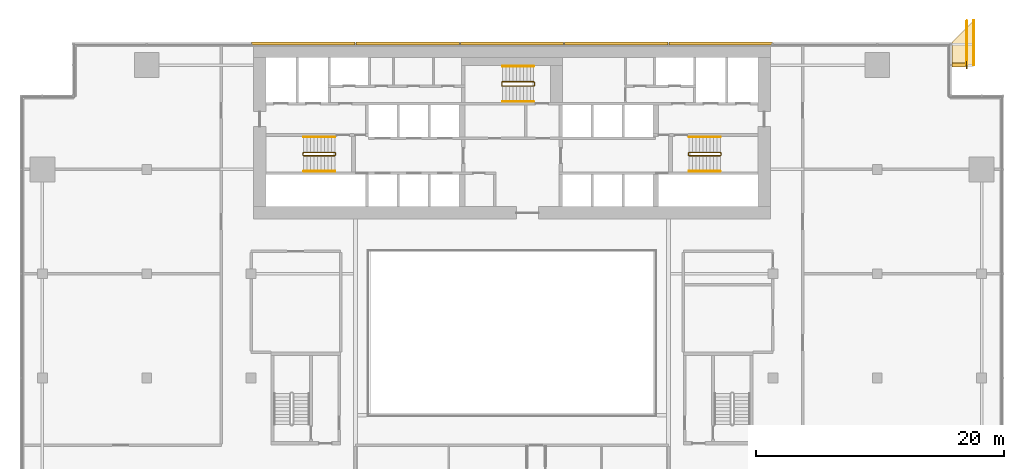
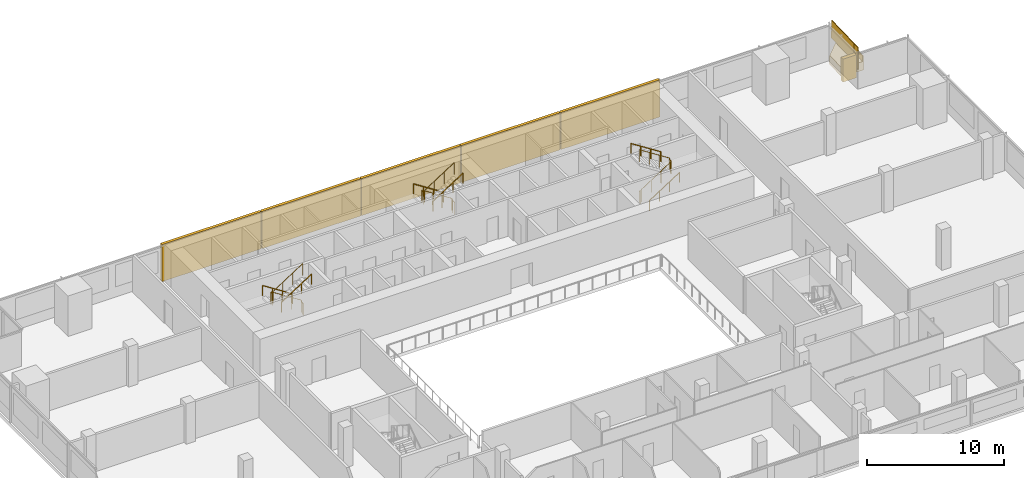
# One storey, part 26 of 26: 11 railings, 8 coverings.
"""IFC4 building model written with IfcOpenShell, lengths in metres."""

from ifc_helpers import new_model, si_unit, direction, frame, origin, origin_2d, place, context, subcontext, project, spatial, polyline, rectangle, circle, outline, extrude, material, layer, layer_set, type_object, element, save


model = new_model("IFC4")

# Units and contexts
model_context = context("Model", 3, precision=1e-05, world=origin(), true_north=direction((0.0, 1.0)))
body_context = subcontext(model_context, "Body", "Model", "MODEL_VIEW")
ifc_project = project(units=[si_unit("LENGTHUNIT", "METRE"), si_unit("AREAUNIT", "SQUARE_METRE"), si_unit("VOLUMEUNIT", "CUBIC_METRE"), si_unit("PLANEANGLEUNIT", "RADIAN"), si_unit("MASSUNIT", "GRAM", prefix="KILO")], contexts=[model_context])

# Site, building, storey
site_placement = place(None, origin())
site = spatial("IfcSite", under=ifc_project, at=site_placement, CompositionType="ELEMENT")
building_placement = place(site_placement, origin())
building = spatial("IfcBuilding", under=site, at=building_placement, Name="Saffron Gate Tower", CompositionType="ELEMENT")
storey_placement = place(building_placement, frame((0.0, 0.0, 138.449951171875)))
storey = spatial("IfcBuildingStorey", under=building, at=storey_placement, Name="L33", CompositionType="ELEMENT", Elevation=138.449951171875)

# Coverings
ifc_material_1 = material(Name="Ceramic-printed bronze insulated panel")
ifc_layer_1 = layer(ifc_material_1, 0.239990234375)
ifc_layer_set_1 = layer_set([ifc_layer_1], Name="CLD2 ceramic-printed cladding panel 240")
covering_type_1 = type_object("IfcCoveringType", Name="CLD2 ceramic-printed cladding panel 240", PredefinedType="CLADDING", material=ifc_layer_set_1)
covering_1_placement = place(storey_placement, origin())
element("IfcCovering", 1, at=covering_1_placement, inside=storey, type_object=covering_type_1, Name="CLADDING ceramic-printed panel", PredefinedType="CLADDING", context=body_context, shape_type="SweptSolid", body=[
    extrude(outline(polyline([(108.56494140625, 75.639892578125), (100.235107421875, 75.639892578125), (100.235107421875, 75.39990234375), (108.56494140625, 75.39990234375), (108.56494140625, 75.639892578125)])), origin(), (0.0, 0.0, 1.0), 3.300048828125),
])
covering_2_placement = place(storey_placement, origin())
element("IfcCovering", 2, at=covering_2_placement, inside=storey, type_object=covering_type_1, Name="CLADDING ceramic-printed panel", PredefinedType="CLADDING", context=body_context, shape_type="SweptSolid", body=[
    extrude(outline(polyline([(100.1650390625, 75.639892578125), (91.8349609375, 75.639892578125), (91.8349609375, 75.39990234375), (100.1650390625, 75.39990234375), (100.1650390625, 75.639892578125)])), origin(), (0.0, 0.0, 1.0), 3.300048828125),
])
covering_3_placement = place(storey_placement, origin())
element("IfcCovering", 3, at=covering_3_placement, inside=storey, type_object=covering_type_1, Name="CLADDING ceramic-printed panel", PredefinedType="CLADDING", context=body_context, shape_type="SweptSolid", body=[
    extrude(outline(polyline([(91.764892578125, 75.639892578125), (83.43505859375, 75.639892578125), (83.43505859375, 75.39990234375), (91.764892578125, 75.39990234375), (91.764892578125, 75.639892578125)])), origin(), (0.0, 0.0, 1.0), 3.300048828125),
])
covering_4_placement = place(storey_placement, origin())
element("IfcCovering", 4, at=covering_4_placement, inside=storey, type_object=covering_type_1, Name="CLADDING ceramic-printed panel", PredefinedType="CLADDING", context=body_context, shape_type="SweptSolid", body=[
    extrude(outline(polyline([(83.364990234375, 75.639892578125), (75.034912109375, 75.639892578125), (75.034912109375, 75.39990234375), (83.364990234375, 75.39990234375), (83.364990234375, 75.639892578125)])), origin(), (0.0, 0.0, 1.0), 3.300048828125),
])
covering_5_placement = place(storey_placement, origin())
element("IfcCovering", 5, at=covering_5_placement, inside=storey, type_object=covering_type_1, Name="CLADDING ceramic-printed panel", PredefinedType="CLADDING", context=body_context, shape_type="SweptSolid", body=[
    extrude(outline(polyline([(74.965087890625, 75.639892578125), (66.635009765625, 75.639892578125), (66.635009765625, 75.39990234375), (74.965087890625, 75.39990234375), (74.965087890625, 75.639892578125)])), origin(), (0.0, 0.0, 1.0), 3.300048828125),
])

# Railings
ifc_material_2 = material(Name="Stainless steel and laminated glass", Category="steel")
railing_type_1 = type_object("IfcRailingType", Name="CR1 Stair guard 1100", PredefinedType="GUARDRAIL", material=ifc_material_2)
railing_1_placement = place(storey_placement, frame((73.39990234375, 66.550048828125, 0.0)))
element("IfcRailing", 6, at=railing_1_placement, inside=storey, type_object=railing_type_1, Name="L33 ST-A stair guard 1", PredefinedType="GUARDRAIL", context=body_context, shape_type="SweptSolid", body=[
    extrude(circle(Radius=0.02392578125, at=origin_2d()), frame((0.0, 0.0, 1.076171875), z_axis=(0.0, 1.0, 0.0), x_axis=(-1.0, 0.0, 0.0)), (0.0, 0.0, 1.0), 0.14990234375),
    extrude(circle(Radius=0.02392578125, at=origin_2d()), frame((0.0, 0.14990234375, 1.076171875), z_axis=(-0.257669022063, 0.258932105505, 0.930892496375), x_axis=(-0.708833529934, -0.705375805398, 0.0)), (0.0, 0.0, 1.0), 0.193359375),
    extrude(circle(Radius=0.02392578125, at=origin_2d()), frame((-0.0498046875, 0.199951171875, 1.255859375), z_axis=(-0.841162588446, 0.0, 0.540782303519), x_axis=(0.0, -1.0, 0.0)), (0.0, 0.0, 1.0), 2.995849609375),
    extrude(circle(Radius=0.02392578125, at=origin_2d()), frame((-2.56982421875, 0.199951171875, 2.8759765625), z_axis=(-0.707106781187, -0.707106781187, 0.0), x_axis=(0.707106781187, -0.707106781187, 0.0)), (0.0, 0.0, 1.0), 0.07080078125),
    extrude(circle(Radius=0.02392578125, at=origin_2d()), frame((-2.619873046875, 0.14990234375, 2.8759765625), z_axis=(0.0, -1.0, 0.0), x_axis=(1.0, 0.0, 0.0)), (0.0, 0.0, 1.0), 0.14990234375),
    extrude(circle(Radius=0.02392578125, at=origin_2d()), frame((-2.619873046875, 0.0, 2.8759765625), z_axis=(0.258847668887, -0.258847668887, 0.930588936439), x_axis=(0.707106781187, 0.707106781187, 0.0)), (0.0, 0.0, 1.0), 0.193359375),
    extrude(circle(Radius=0.02392578125, at=origin_2d()), frame((-2.56982421875, -0.050048828125, 3.05615234375), z_axis=(0.841162588446, 0.0, 0.540782303519), x_axis=(0.0, 1.0, 0.0)), (0.0, 0.0, 1.0), 2.995849609375),
    extrude(circle(Radius=0.02099609375, at=origin_2d()), origin(), (0.0, 0.0, 1.0), 1.052001953125),
    extrude(circle(Radius=0.02099609375, at=origin_2d()), frame((0.0, 0.14990234375, 0.0)), (0.0, 0.0, 1.0), 1.052001953125),
    extrude(circle(Radius=0.02099609375, at=origin_2d()), frame((-0.0498046875, 0.199951171875, 0.179931640625)), (0.0, 0.0, 1.0), 1.052001953125),
    extrude(circle(Radius=0.02099609375, at=origin_2d()), frame((-0.889892578125, 0.199951171875, 0.719970703125)), (0.0, 0.0, 1.0), 1.052001953125),
    extrude(circle(Radius=0.02099609375, at=origin_2d()), frame((-1.729736328125, 0.199951171875, 1.260009765625)), (0.0, 0.0, 1.0), 1.052001953125),
    extrude(circle(Radius=0.02099609375, at=origin_2d()), frame((-2.56982421875, 0.199951171875, 1.800048828125)), (0.0, 0.0, 1.0), 1.052001953125),
    extrude(circle(Radius=0.02099609375, at=origin_2d()), frame((-2.619873046875, 0.14990234375, 1.800048828125)), (0.0, 0.0, 1.0), 1.052001953125),
    extrude(circle(Radius=0.02099609375, at=origin_2d()), frame((-2.619873046875, 0.0, 1.800048828125)), (0.0, 0.0, 1.0), 1.052001953125),
    extrude(circle(Radius=0.02099609375, at=origin_2d()), frame((-2.56982421875, -0.050048828125, 1.97998046875)), (0.0, 0.0, 1.0), 1.052001953125),
    extrude(circle(Radius=0.02099609375, at=origin_2d()), frame((-1.729736328125, -0.050048828125, 2.52001953125)), (0.0, 0.0, 1.0), 1.052001953125),
    extrude(circle(Radius=0.02099609375, at=origin_2d()), frame((-0.889892578125, -0.050048828125, 3.06005859375)), (0.0, 0.0, 1.0), 1.052001953125),
    extrude(circle(Radius=0.02099609375, at=origin_2d()), frame((-0.0498046875, -0.050048828125, 3.60009765625)), (0.0, 0.0, 1.0), 1.052001953125),
])
railing_2_placement = place(storey_placement, frame((101.800048828125, 66.699951171875, 0.0)))
element("IfcRailing", 7, at=railing_2_placement, inside=storey, type_object=railing_type_1, Name="L33 ST-B stair guard 1", PredefinedType="GUARDRAIL", context=body_context, shape_type="SweptSolid", body=[
    extrude(circle(Radius=0.02392578125, at=origin_2d()), frame((0.0, 0.0, 1.076171875), z_axis=(0.0, -1.0, 0.0), x_axis=(1.0, 0.0, 0.0)), (0.0, 0.0, 1.0), 0.14990234375),
    extrude(circle(Radius=0.02392578125, at=origin_2d()), frame((0.0, -0.14990234375, 1.076171875), z_axis=(0.258847668887, -0.258847668887, 0.930588936439), x_axis=(0.707106781187, 0.707106781187, 0.0)), (0.0, 0.0, 1.0), 0.193359375),
    extrude(circle(Radius=0.02392578125, at=origin_2d()), frame((0.050048828125, -0.199951171875, 1.255859375), z_axis=(0.841162588446, 0.0, 0.540782303519), x_axis=(0.0, 1.0, 0.0)), (0.0, 0.0, 1.0), 2.995849609375),
    extrude(circle(Radius=0.02392578125, at=origin_2d()), frame((2.570068359375, -0.199951171875, 2.8759765625), z_axis=(0.705375805398, 0.708833529934, 0.0), x_axis=(-0.708833529934, 0.705375805398, 0.0)), (0.0, 0.0, 1.0), 0.070556640625),
    extrude(circle(Radius=0.02392578125, at=origin_2d()), frame((2.619873046875, -0.14990234375, 2.8759765625), z_axis=(0.0, 1.0, 0.0), x_axis=(-1.0, 0.0, 0.0)), (0.0, 0.0, 1.0), 0.14990234375),
    extrude(circle(Radius=0.02392578125, at=origin_2d()), frame((2.619873046875, 0.0, 2.8759765625), z_axis=(-0.257669022063, 0.258932105505, 0.930892496375), x_axis=(-0.708833529934, -0.705375805398, 0.0)), (0.0, 0.0, 1.0), 0.193359375),
    extrude(circle(Radius=0.02392578125, at=origin_2d()), frame((2.570068359375, 0.050048828125, 3.05615234375), z_axis=(-0.841162588446, 0.0, 0.540782303519), x_axis=(0.0, -1.0, 0.0)), (0.0, 0.0, 1.0), 2.995849609375),
    extrude(circle(Radius=0.02099609375, at=origin_2d()), origin(), (0.0, 0.0, 1.0), 1.052001953125),
    extrude(circle(Radius=0.02099609375, at=origin_2d()), frame((0.0, -0.14990234375, 0.0)), (0.0, 0.0, 1.0), 1.052001953125),
    extrude(circle(Radius=0.02099609375, at=origin_2d()), frame((0.050048828125, -0.199951171875, 0.179931640625)), (0.0, 0.0, 1.0), 1.052001953125),
    extrude(circle(Radius=0.02099609375, at=origin_2d()), frame((0.89013671875, -0.199951171875, 0.719970703125)), (0.0, 0.0, 1.0), 1.052001953125),
    extrude(circle(Radius=0.02099609375, at=origin_2d()), frame((1.72998046875, -0.199951171875, 1.260009765625)), (0.0, 0.0, 1.0), 1.052001953125),
    extrude(circle(Radius=0.02099609375, at=origin_2d()), frame((2.570068359375, -0.199951171875, 1.800048828125)), (0.0, 0.0, 1.0), 1.052001953125),
    extrude(circle(Radius=0.02099609375, at=origin_2d()), frame((2.619873046875, -0.14990234375, 1.800048828125)), (0.0, 0.0, 1.0), 1.052001953125),
    extrude(circle(Radius=0.02099609375, at=origin_2d()), frame((2.619873046875, 0.0, 1.800048828125)), (0.0, 0.0, 1.0), 1.052001953125),
    extrude(circle(Radius=0.02099609375, at=origin_2d()), frame((2.570068359375, 0.050048828125, 1.97998046875)), (0.0, 0.0, 1.0), 1.052001953125),
    extrude(circle(Radius=0.02099609375, at=origin_2d()), frame((1.72998046875, 0.050048828125, 2.52001953125)), (0.0, 0.0, 1.0), 1.052001953125),
    extrude(circle(Radius=0.02099609375, at=origin_2d()), frame((0.89013671875, 0.050048828125, 3.06005859375)), (0.0, 0.0, 1.0), 1.052001953125),
    extrude(circle(Radius=0.02099609375, at=origin_2d()), frame((0.050048828125, 0.050048828125, 3.60009765625)), (0.0, 0.0, 1.0), 1.052001953125),
])
railing_3_placement = place(storey_placement, frame((89.39990234375, 72.14990234375, 0.0)))
element("IfcRailing", 8, at=railing_3_placement, inside=storey, type_object=railing_type_1, Name="L33 ST-C stair guard 1", PredefinedType="GUARDRAIL", context=body_context, shape_type="SweptSolid", body=[
    extrude(circle(Radius=0.02392578125, at=origin_2d()), frame((0.0, 0.0, 1.076171875), z_axis=(0.0, 1.0, 0.0), x_axis=(-1.0, 0.0, 0.0)), (0.0, 0.0, 1.0), 0.25),
    extrude(circle(Radius=0.02392578125, at=origin_2d()), frame((0.0, 0.25, 1.076171875), z_axis=(-0.257669022063, 0.258932105505, 0.930892496375), x_axis=(-0.708833529934, -0.705375805398, 0.0)), (0.0, 0.0, 1.0), 0.193359375),
    extrude(circle(Radius=0.02392578125, at=origin_2d()), frame((-0.0498046875, 0.300048828125, 1.255859375), z_axis=(-0.841162588446, 0.0, 0.540782303519), x_axis=(0.0, -1.0, 0.0)), (0.0, 0.0, 1.0), 2.995849609375),
    extrude(circle(Radius=0.02392578125, at=origin_2d()), frame((-2.56982421875, 0.300048828125, 2.8759765625), z_axis=(-0.707106781187, -0.707106781187, 0.0), x_axis=(0.707106781187, -0.707106781187, 0.0)), (0.0, 0.0, 1.0), 0.07080078125),
    extrude(circle(Radius=0.02392578125, at=origin_2d()), frame((-2.619873046875, 0.25, 2.8759765625), z_axis=(0.0, -1.0, 0.0), x_axis=(1.0, 0.0, 0.0)), (0.0, 0.0, 1.0), 0.25),
    extrude(circle(Radius=0.02392578125, at=origin_2d()), frame((-2.619873046875, 0.0, 2.8759765625), z_axis=(0.258932105505, -0.257669022063, 0.930892496375), x_axis=(0.705375805398, 0.708833529934, 0.0)), (0.0, 0.0, 1.0), 0.193359375),
    extrude(circle(Radius=0.02392578125, at=origin_2d()), frame((-2.56982421875, -0.0498046875, 3.05615234375), z_axis=(0.841162588446, 0.0, 0.540782303519), x_axis=(0.0, 1.0, 0.0)), (0.0, 0.0, 1.0), 2.995849609375),
    extrude(circle(Radius=0.02099609375, at=origin_2d()), origin(), (0.0, 0.0, 1.0), 1.052001953125),
    extrude(circle(Radius=0.02099609375, at=origin_2d()), frame((0.0, 0.25, 0.0)), (0.0, 0.0, 1.0), 1.052001953125),
    extrude(circle(Radius=0.02099609375, at=origin_2d()), frame((-0.0498046875, 0.300048828125, 0.179931640625)), (0.0, 0.0, 1.0), 1.052001953125),
    extrude(circle(Radius=0.02099609375, at=origin_2d()), frame((-0.889892578125, 0.300048828125, 0.719970703125)), (0.0, 0.0, 1.0), 1.052001953125),
    extrude(circle(Radius=0.02099609375, at=origin_2d()), frame((-1.729736328125, 0.300048828125, 1.260009765625)), (0.0, 0.0, 1.0), 1.052001953125),
    extrude(circle(Radius=0.02099609375, at=origin_2d()), frame((-2.56982421875, 0.300048828125, 1.800048828125)), (0.0, 0.0, 1.0), 1.052001953125),
    extrude(circle(Radius=0.02099609375, at=origin_2d()), frame((-2.619873046875, 0.25, 1.800048828125)), (0.0, 0.0, 1.0), 1.052001953125),
    extrude(circle(Radius=0.02099609375, at=origin_2d()), frame((-2.619873046875, 0.0, 1.800048828125)), (0.0, 0.0, 1.0), 1.052001953125),
    extrude(circle(Radius=0.02099609375, at=origin_2d()), frame((-2.56982421875, -0.0498046875, 1.97998046875)), (0.0, 0.0, 1.0), 1.052001953125),
    extrude(circle(Radius=0.02099609375, at=origin_2d()), frame((-1.729736328125, -0.0498046875, 2.52001953125)), (0.0, 0.0, 1.0), 1.052001953125),
    extrude(circle(Radius=0.02099609375, at=origin_2d()), frame((-0.889892578125, -0.0498046875, 3.06005859375)), (0.0, 0.0, 1.0), 1.052001953125),
    extrude(circle(Radius=0.02099609375, at=origin_2d()), frame((-0.0498046875, -0.0498046875, 3.60009765625)), (0.0, 0.0, 1.0), 1.052001953125),
])
ifc_material_3 = material(Name="Stainless steel", Category="steel")
railing_type_2 = type_object("IfcRailingType", Name="CR2 Stair handrail 900", PredefinedType="HANDRAIL", material=ifc_material_3)
railing_4_placement = place(storey_placement, frame((73.35009765625, 68.0, 0.179931640625)))
element("IfcRailing", 9, at=railing_4_placement, inside=storey, type_object=railing_type_2, Name="L33 ST-A stair handrail 1", PredefinedType="HANDRAIL", context=body_context, shape_type="SweptSolid", body=[
    extrude(circle(Radius=0.02392578125, at=origin_2d()), frame((0.0, 0.0, 0.8759765625), z_axis=(-0.841162588446, 0.0, 0.540782303519), x_axis=(0.0, -1.0, 0.0)), (0.0, 0.0, 1.0), 2.995849609375),
    extrude(circle(Radius=0.02099609375, at=origin_2d()), origin(), (0.0, 0.0, 1.0), 0.851806640625),
    extrude(circle(Radius=0.02099609375, at=origin_2d()), frame((-0.840087890625, 0.0, 0.5400390625)), (0.0, 0.0, 1.0), 0.851806640625),
    extrude(circle(Radius=0.02099609375, at=origin_2d()), frame((-1.679931640625, 0.0, 1.080078125)), (0.0, 0.0, 1.0), 0.851806640625),
    extrude(circle(Radius=0.02099609375, at=origin_2d()), frame((-2.52001953125, 0.0, 1.6201171875)), (0.0, 0.0, 1.0), 0.851806640625),
])
for number, where, name in (
    (10, (70.830078125, 65.25, 1.97998046875), "L33 ST-A stair handrail 2"),
    (11, (101.85009765625, 65.25, 0.179931640625), "L33 ST-B stair handrail 1"),
):
    element("IfcRailing", number, at=place(storey_placement, frame(where)), inside=storey, type_object=railing_type_2, Name=name, PredefinedType="HANDRAIL", context=body_context, shape_type="SweptSolid", body=[
        extrude(circle(Radius=0.02392578125, at=origin_2d()), frame((0.0, 0.0, 0.8759765625), z_axis=(0.841162588446, 0.0, 0.540782303519), x_axis=(0.0, 1.0, 0.0)), (0.0, 0.0, 1.0), 2.995849609375),
        extrude(circle(Radius=0.02099609375, at=origin_2d()), origin(), (0.0, 0.0, 1.0), 0.851806640625),
        extrude(circle(Radius=0.02099609375, at=origin_2d()), frame((0.840087890625, 0.0, 0.5400390625)), (0.0, 0.0, 1.0), 0.851806640625),
        extrude(circle(Radius=0.02099609375, at=origin_2d()), frame((1.679931640625, 0.0, 1.080078125)), (0.0, 0.0, 1.0), 0.851806640625),
        extrude(circle(Radius=0.02099609375, at=origin_2d()), frame((2.52001953125, 0.0, 1.6201171875)), (0.0, 0.0, 1.0), 0.851806640625),
    ])
for number, where, name in (
    (12, (104.3701171875, 68.0, 1.97998046875), "L33 ST-B stair handrail 2"),
    (13, (89.35009765625, 73.699951171875, 0.179931640625), "L33 ST-C stair handrail 1"),
):
    element("IfcRailing", number, at=place(storey_placement, frame(where)), inside=storey, type_object=railing_type_2, Name=name, PredefinedType="HANDRAIL", context=body_context, shape_type="SweptSolid", body=[
        extrude(circle(Radius=0.02392578125, at=origin_2d()), frame((0.0, 0.0, 0.8759765625), z_axis=(-0.841162588446, 0.0, 0.540782303519), x_axis=(0.0, -1.0, 0.0)), (0.0, 0.0, 1.0), 2.995849609375),
        extrude(circle(Radius=0.02099609375, at=origin_2d()), origin(), (0.0, 0.0, 1.0), 0.851806640625),
        extrude(circle(Radius=0.02099609375, at=origin_2d()), frame((-0.840087890625, 0.0, 0.5400390625)), (0.0, 0.0, 1.0), 0.851806640625),
        extrude(circle(Radius=0.02099609375, at=origin_2d()), frame((-1.679931640625, 0.0, 1.080078125)), (0.0, 0.0, 1.0), 0.851806640625),
        extrude(circle(Radius=0.02099609375, at=origin_2d()), frame((-2.52001953125, 0.0, 1.6201171875)), (0.0, 0.0, 1.0), 0.851806640625),
    ])
railing_5_placement = place(storey_placement, frame((86.830078125, 70.85009765625, 1.97998046875)))
element("IfcRailing", 14, at=railing_5_placement, inside=storey, type_object=railing_type_2, Name="L33 ST-C stair handrail 2", PredefinedType="HANDRAIL", context=body_context, shape_type="SweptSolid", body=[
    extrude(circle(Radius=0.02392578125, at=origin_2d()), frame((0.0, 0.0, 0.8759765625), z_axis=(0.841162588446, 0.0, 0.540782303519), x_axis=(0.0, 1.0, 0.0)), (0.0, 0.0, 1.0), 2.995849609375),
    extrude(circle(Radius=0.02099609375, at=origin_2d()), origin(), (0.0, 0.0, 1.0), 0.851806640625),
    extrude(circle(Radius=0.02099609375, at=origin_2d()), frame((0.840087890625, 0.0, 0.5400390625)), (0.0, 0.0, 1.0), 0.851806640625),
    extrude(circle(Radius=0.02099609375, at=origin_2d()), frame((1.679931640625, 0.0, 1.080078125)), (0.0, 0.0, 1.0), 0.851806640625),
    extrude(circle(Radius=0.02099609375, at=origin_2d()), frame((2.52001953125, 0.0, 1.6201171875)), (0.0, 0.0, 1.0), 0.851806640625),
])

# Coverings
ifc_material_4 = material(Name="Timber, thermally modified ash", Category="wood")
ifc_layer_2 = layer(ifc_material_4, 0.800048828125)
ifc_layer_set_2 = layer_set([ifc_layer_2], Name="LD1 ledge timber")
covering_type_2 = type_object("IfcCoveringType", Name="LD1 ledge timber", PredefinedType="CLADDING", material=ifc_layer_set_2)
covering_6_placement = place(storey_placement, frame((123.0, 73.800048828125, 0.2490234375), z_axis=(-4.6492774e-05, -0.028788135707, 0.99958553465), x_axis=(-2.161e-09, 0.99958553573, 0.028788135738)))
element("IfcCovering", 15, at=covering_6_placement, inside=storey, type_object=covering_type_2, Name="LEDGE", PredefinedType="CLADDING", context=body_context, shape_type="SweptSolid", body=[
    extrude(outline(polyline([(0.0, 0.0), (1.8007927831333284, -4.235164736271502e-22), (3.6013485512933356, -1.8000488378518529), (-3.889338571966608e-09, -1.8000488261795269), (0.0, 0.0)])), origin(), (0.0, 0.0, -1.0), 0.800048828125),
])
ifc_layer_3 = layer(ifc_material_4, 0.080078125)
ifc_layer_set_3 = layer_set([ifc_layer_3], Name="LD2 ledge planter trough")
covering_type_3 = type_object("IfcCoveringType", Name="LD2 ledge planter trough", PredefinedType="CLADDING", material=ifc_layer_set_3)
covering_7_placement = place(storey_placement, frame((124.800048828125, 73.800048828125, 0.2490234375), z_axis=(1.0, 0.0, 0.0), x_axis=(0.0, 0.999584866472, 0.028811364412)))
element("IfcCovering", 16, at=covering_7_placement, inside=storey, type_object=covering_type_3, Name="LEDGE planter trough", PredefinedType="CLADDING", context=body_context, shape_type="SweptSolid", body=[
    extrude(outline(polyline([(0.0, 0.0), (3.601348556155073, 0.0), (3.6157542383609322, 0.49979243323622236), (0.01440568220585924, 0.49979243323622236), (0.0, 0.0)])), origin(), (0.0, 0.0, -1.0), 0.080078125),
])
ifc_layer_4 = layer(ifc_material_4, 0.300048828125)
ifc_layer_set_4 = layer_set([ifc_layer_4], Name="LD3 ledge riser fin")
covering_type_4 = type_object("IfcCoveringType", Name="LD3 ledge riser fin", PredefinedType="CLADDING", material=ifc_layer_set_4)
covering_8_placement = place(storey_placement, frame((123.56005859375, 73.800048828125, -0.89404296875), z_axis=(0.0, 0.0, 1.0), x_axis=(0.0, 1.0, 0.0)))
element("IfcCovering", 17, at=covering_8_placement, inside=storey, type_object=covering_type_4, Name="LEDGE riser fin", PredefinedType="CLADDING", context=body_context, shape_type="SweptSolid", body=[
    extrude(rectangle(XDim=0.300048828125, YDim=1.1201171875, at=origin_2d()), origin(), (0.0, 0.0, 1.0), 2.04296875),
])

# Railings
railing_type_3 = type_object("IfcRailingType", Name="LG1 ledge balustrade", PredefinedType="BALUSTRADE", material=ifc_material_4)
railing_6_placement = place(storey_placement, frame((124.199951171875, 73.800048828125, 0.2490234375)))
element("IfcRailing", 18, at=railing_6_placement, inside=storey, type_object=railing_type_3, Name="LEDGE BALUSTRADE", PredefinedType="BALUSTRADE", context=body_context, shape_type="SweptSolid", body=[
    extrude(rectangle(XDim=0.06005859375, YDim=1.60009765625, at=origin_2d()), frame((0.0, 0.0, 0.800048828125), z_axis=(0.0, 0.999584866472, 0.028811364412), x_axis=(-1.0, 0.0, 0.0)), (0.0, 0.0, 1.0), 3.601318359375),
])
railing_7_placement = place(storey_placement, frame((124.199951171875, 73.5, -0.093994140625)))
element("IfcRailing", 19, at=railing_7_placement, inside=storey, type_object=railing_type_3, Name="LEDGE BALUSTRADE", PredefinedType="BALUSTRADE", context=body_context, shape_type="SweptSolid", body=[
    extrude(rectangle(XDim=0.06005859375, YDim=1.943115234375, at=origin_2d()), frame((0.0, 0.0, 0.9716796875), z_axis=(0.0, 1.0, 0.0), x_axis=(-1.0, 0.0, 0.0)), (0.0, 0.0, 1.0), 0.60009765625),
])

save(model, "model.ifc")
